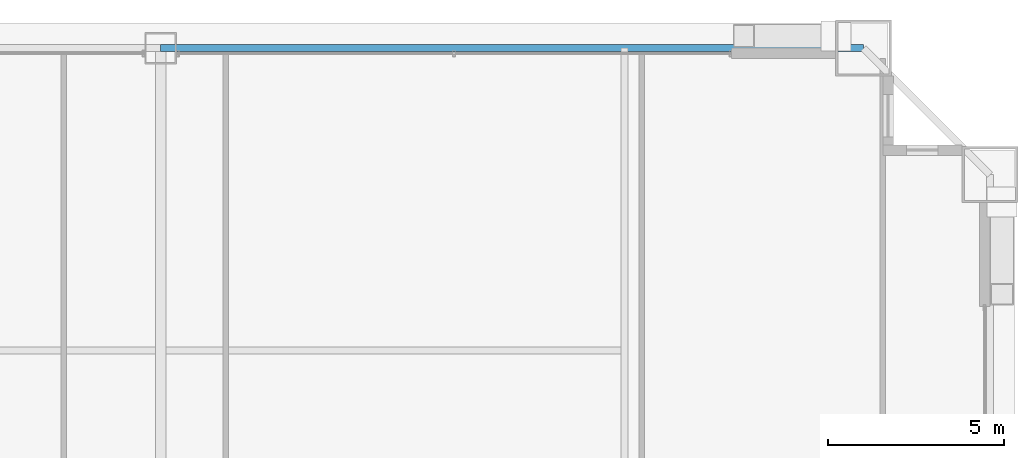
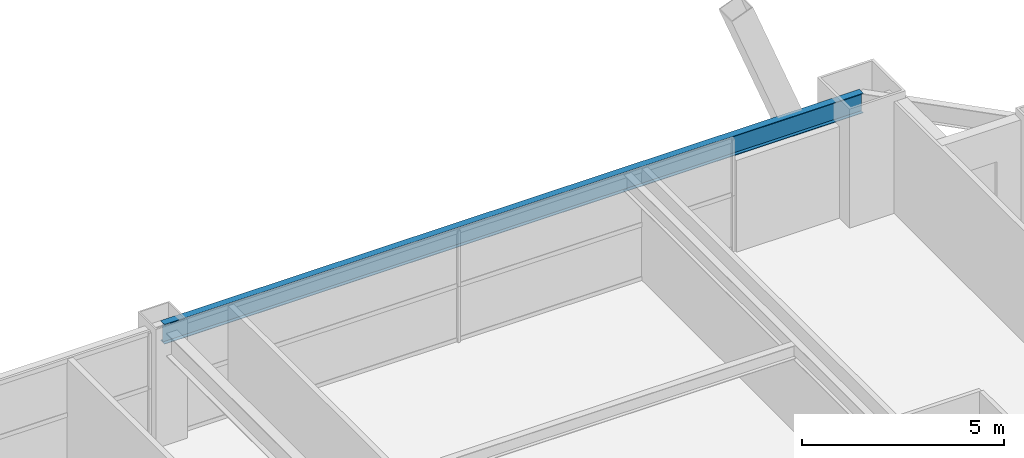
# One storey, part 34 of 41: 1 beam.
"""IFC4 building model written with IfcOpenShell, lengths in metres."""

import ifcopenshell
import ifcopenshell.guid

model = None  # the IFC model being written
_history = None  # IfcOwnerHistory: only IFC2X3 demands one
_inside = {}  # id of a spatial element -> (the spatial element, [elements in it])
_under = {}  # id of a project, library or spatial element -> (it, [spatial elements below it])
_declared = {}  # id of a project -> (the project, [libraries it declares])
_typed = {}  # id of a type object -> (the type object, [elements of that type])
_made_of = {}  # id of a material, layer set ... -> (it, [elements and type objects made of it])


def new_model(schema):
    """Start an empty IFC model of exactly this schema.

    Asked for "IFC4X3", IfcOpenShell would pick the latest addendum, in which some entities
    have other attributes; the version numbers below select the first issue.
    IFC2X3 requires an IfcOwnerHistory on every rooted entity: one is made here for all.
    """
    global model, _history
    if schema == "IFC4X3":
        model = ifcopenshell.file(schema_version=(4, 3, 0, 0))
    else:
        model = ifcopenshell.file(schema=schema)
    _inside.clear()
    _under.clear()
    _declared.clear()
    _typed.clear()
    _made_of.clear()
    _history = None
    if model.schema == "IFC2X3":
        org = make("IfcOrganization", Name="unknown")
        user = make(
            "IfcPersonAndOrganization",
            ThePerson=make("IfcPerson", FamilyName="unknown"),
            TheOrganization=org,
        )
        app = make(
            "IfcApplication",
            ApplicationDeveloper=org,
            Version="unknown",
            ApplicationFullName="unknown",
            ApplicationIdentifier="unknown",
        )
        _history = make(
            "IfcOwnerHistory",
            OwningUser=user,
            OwningApplication=app,
            ChangeAction="ADDED",
            CreationDate=0,
        )
    return model


def make(cls, **values):
    """One entity of the class cls with the attributes given. An attribute that is None is left unset."""
    return model.create_entity(
        cls, **{name: value for name, value in values.items() if value is not None}
    )


def rooted(cls, **values):
    """An entity with a GlobalId (a new one), such as an element, a storey or a relation."""
    return make(cls, GlobalId=ifcopenshell.guid.new(), OwnerHistory=_history, **values)


def si_unit(unit_type, name, prefix=None):
    """IfcSIUnit, for example si_unit("LENGTHUNIT", "METRE", prefix="MILLI")."""
    return make("IfcSIUnit", UnitType=unit_type, Prefix=prefix, Name=name)


def assignment(units):
    """IfcUnitAssignment: the units of a project."""
    return None if units is None else make("IfcUnitAssignment", Units=units)


def point(xyz):
    """IfcCartesianPoint."""
    return None if xyz is None else make("IfcCartesianPoint", Coordinates=xyz)


def direction(xyz):
    """IfcDirection."""
    return None if xyz is None else make("IfcDirection", DirectionRatios=xyz)


def frame(location, z_axis=None, x_axis=None):
    """IfcAxis2Placement3D, a coordinate frame: its origin and axes. An axis left out is left unset."""
    return make(
        "IfcAxis2Placement3D",
        Location=point(location),
        Axis=direction(z_axis),
        RefDirection=direction(x_axis),
    )


def frame_2d(location, x_axis=None):
    """IfcAxis2Placement2D, a coordinate frame in the plane: its origin and x axis."""
    return make(
        "IfcAxis2Placement2D", Location=point(location), RefDirection=direction(x_axis)
    )


def origin():
    """The frame at (0, 0, 0) with its axes left unset."""
    return frame((0.0, 0.0, 0.0))


def origin_2d():
    """The frame at (0, 0) in the plane with its x axis left unset."""
    return frame_2d((0.0, 0.0))


def place(relative_to, where):
    """IfcLocalPlacement: puts the frame where relative to a parent placement (None: the world)."""
    return make(
        "IfcLocalPlacement", PlacementRelTo=relative_to, RelativePlacement=where
    )


def context(
    kind, dimensions, precision=None, world=None, true_north=None, identifier=None
):
    """IfcGeometricRepresentationContext, for example the 3D "Model" context."""
    return make(
        "IfcGeometricRepresentationContext",
        ContextIdentifier=identifier,
        ContextType=kind,
        CoordinateSpaceDimension=dimensions,
        Precision=precision,
        WorldCoordinateSystem=world,
        TrueNorth=true_north,
    )


def subcontext(parent, identifier, kind, view, scale=None):
    """IfcGeometricRepresentationSubContext, for example "Body" below "Model"."""
    return make(
        "IfcGeometricRepresentationSubContext",
        ContextIdentifier=identifier,
        ContextType=kind,
        ParentContext=parent,
        TargetScale=scale,
        TargetView=view,
    )


def project(units=None, contexts=None):
    """IfcProject with its units and contexts."""
    return rooted(
        "IfcProject",
        Name="project",
        RepresentationContexts=contexts,
        UnitsInContext=assignment(units),
    )


def spatial(cls, under=None, at=None, **own):
    """A site, building, storey or space (cls), placed at a placement, below another one or the project."""
    s = rooted(cls, ObjectPlacement=at, **own)
    if under is not None:
        _under.setdefault(under.id(), (under, []))[1].append(s)
    return s


def profile(cls, at=None, kind="AREA", **sizes):
    """A parametric profile (cls). Its sizes go by their IFC names, for example OverallWidth=200.0."""
    return make(cls, ProfileType=kind, Position=at, **sizes)


def i_section(**sizes):
    """IfcIShapeProfileDef."""
    return profile("IfcIShapeProfileDef", **sizes)


def extrude(swept, where, along, depth):
    """IfcExtrudedAreaSolid: the profile swept, set in the frame where, extruded along a direction by depth."""
    return make(
        "IfcExtrudedAreaSolid",
        SweptArea=swept,
        Position=where,
        ExtrudedDirection=direction(along),
        Depth=depth,
    )


def shape(context_of_items, identifier, shape_type, items):
    """IfcShapeRepresentation: the items that make up one representation, for example the "Body"."""
    return make(
        "IfcShapeRepresentation",
        ContextOfItems=context_of_items,
        RepresentationIdentifier=identifier,
        RepresentationType=shape_type,
        Items=items,
    )


def source(mapping_origin, context_of_items, identifier, shape_type, items):
    """IfcRepresentationMap: a shape defined once, which mapped items show again and again."""
    return make(
        "IfcRepresentationMap",
        MappingOrigin=mapping_origin,
        MappedRepresentation=shape(context_of_items, identifier, shape_type, items),
    )


def transform(
    local_origin,
    x_axis=None,
    y_axis=None,
    z_axis=None,
    scale=None,
    scale2=None,
    scale3=None,
    uniform=True,
):
    """IfcCartesianTransformationOperator3D, or its non-uniform kind. x_axis, y_axis, z_axis: its Axis1, 2, 3."""
    if uniform:
        return make(
            "IfcCartesianTransformationOperator3D",
            Axis1=direction(x_axis),
            Axis2=direction(y_axis),
            LocalOrigin=point(local_origin),
            Scale=scale,
            Axis3=direction(z_axis),
        )
    return make(
        "IfcCartesianTransformationOperator3DnonUniform",
        Axis1=direction(x_axis),
        Axis2=direction(y_axis),
        LocalOrigin=point(local_origin),
        Scale=scale,
        Axis3=direction(z_axis),
        Scale2=scale2,
        Scale3=scale3,
    )


def mapped(mapping_source, mapping_target):
    """IfcMappedItem: shows the shape of a source again, moved by a transform."""
    return make(
        "IfcMappedItem", MappingSource=mapping_source, MappingTarget=mapping_target
    )


def material(Name=None, Category=None):
    """IfcMaterial."""
    return make("IfcMaterial", Name=Name, Category=Category)


def material_profile(
    of_material, cross_section, Name=None, Category=None, Priority=None
):
    """IfcMaterialProfile: a cross section and its material."""
    return make(
        "IfcMaterialProfile",
        Name=Name,
        Material=of_material,
        Profile=cross_section,
        Priority=Priority,
        Category=Category,
    )


def profile_set(profiles, Name=None, composite=None):
    """IfcMaterialProfileSet."""
    return make(
        "IfcMaterialProfileSet",
        Name=Name,
        MaterialProfiles=profiles,
        CompositeProfile=composite,
    )


def made_of(thing, what):
    """Note that an element or type object is made of a material, layer set ...; save() writes the relation."""
    if what is not None:
        _made_of.setdefault(what.id(), (what, []))[1].append(thing)
    return thing


def type_object(cls, material=None, **own):
    """A type object (cls), such as IfcWallType, which elements share."""
    return made_of(rooted(cls, **own), material)


def element(
    cls,
    number,
    at=None,
    inside=None,
    cuts=None,
    type_object=None,
    material=None,
    context=None,
    identifier="Body",
    shape_type=None,
    held_by="IfcProductDefinitionShape",
    body=None,
    shapes=None,
    **own,
):
    """One element of the class cls, such as IfcWall. Its Tag is "e" and its number.

    at: its placement. inside: the storey or other place that contains it. cuts: it is an
    opening in that element (IfcRelVoidsElement). A single representation is given by context,
    identifier, shape_type and body (its items); several are given by shapes. held_by: the class
    of the entity that holds the representations. save() writes the other relations.
    """
    e = rooted(cls, Tag="e%d" % number, ObjectPlacement=at, **own)
    if body is not None:
        shapes = [shape(context, identifier, shape_type, body)]
    if shapes is not None:
        e.Representation = make(held_by, Representations=shapes)
    if inside is not None:
        _inside.setdefault(inside.id(), (inside, []))[1].append(e)
    if cuts is not None:
        rooted(
            "IfcRelVoidsElement", RelatingBuildingElement=cuts, RelatedOpeningElement=e
        )
    if type_object is not None:
        _typed.setdefault(type_object.id(), (type_object, []))[1].append(e)
    return made_of(e, material)


def aggregate(whole, parts):
    """IfcRelAggregates: a whole, such as a stair, and the parts it consists of."""
    return rooted("IfcRelAggregates", RelatingObject=whole, RelatedObjects=parts)


def save(model, path):
    """Write the relations noted so far, then the file.

    IfcRelAggregates (storeys below a building ...), IfcRelContainedInSpatialStructure (elements
    in a storey), IfcRelDefinesByType, IfcRelAssociatesMaterial and IfcRelDeclares: one each for
    every whole, place, type object, material and project.
    """
    for whole, parts in _under.values():
        aggregate(whole, parts)
    for where, things in _inside.values():
        rooted(
            "IfcRelContainedInSpatialStructure",
            RelatedElements=things,
            RelatingStructure=where,
        )
    for kind, things in _typed.values():
        rooted("IfcRelDefinesByType", RelatedObjects=things, RelatingType=kind)
    for what, things in _made_of.values():
        rooted("IfcRelAssociatesMaterial", RelatedObjects=things, RelatingMaterial=what)
    for by, libraries in _declared.values():
        rooted("IfcRelDeclares", RelatingContext=by, RelatedDefinitions=libraries)
    model.write(path)


model = new_model("IFC4")

# Units and contexts
model_context = context("Model", 3, precision=1e-05, world=origin(), true_north=direction((0.0, 1.0)))
body_context = subcontext(model_context, "Body", "Model", "MODEL_VIEW")
ifc_project = project(units=[si_unit("LENGTHUNIT", "METRE"), si_unit("AREAUNIT", "SQUARE_METRE"), si_unit("VOLUMEUNIT", "CUBIC_METRE"), si_unit("PLANEANGLEUNIT", "RADIAN"), si_unit("MASSUNIT", "GRAM", prefix="KILO"), si_unit("THERMODYNAMICTEMPERATUREUNIT", "KELVIN"), si_unit("POWERUNIT", "WATT")], contexts=[model_context])

# Site, building, storey
site_placement = place(None, origin())
site = spatial("IfcSite", under=ifc_project, at=site_placement, CompositionType="ELEMENT")
building_placement = place(site_placement, origin())
building = spatial("IfcBuilding", under=site, at=building_placement, Name="Yuzanri Waterfront Tower", CompositionType="ELEMENT")
storey_placement = place(building_placement, frame((0.0, 0.0, 122.60009765625)))
storey = spatial("IfcBuildingStorey", under=building, at=storey_placement, Name="L32", CompositionType="ELEMENT", Elevation=122.60009765625)

# Beam
ifc_material = material(Name="Steel Q355B", Category="steel")
ifc_material_profile = material_profile(ifc_material, i_section(OverallWidth=0.199951171875, OverallDepth=0.60009765625, WebThickness=0.010986328125, FlangeThickness=0.01708984375, at=origin_2d()), Name="HN 600x200x11x17")
ifc_profile_set = profile_set([ifc_material_profile], Name="Steel Q355B")
beam_type = type_object("IfcBeamType", Name="Perimeter Spandrel Q355B HN 600x200", PredefinedType="SPANDREL", material=ifc_profile_set)
shared_shape = source(origin(), body_context, "Body", "SweptSolid", [
    extrude(i_section(OverallWidth=0.199951171875, OverallDepth=0.60009765625, WebThickness=0.010986328125, FlangeThickness=0.01708984375, at=origin_2d()), origin(), (0.0, 0.0, 1.0), 20.0),
])
beam_placement = place(storey_placement, frame((57.0, 49.39990234375, 3.079833984375), z_axis=(-1.0, 0.0, 0.0), x_axis=(0.0, -1.0, 0.0)))
element("IfcBeam", 1, at=beam_placement, inside=storey, type_object=beam_type, Name="L32 Perimeter Spandrel N3-N2", PredefinedType="SPANDREL", context=body_context, shape_type="MappedRepresentation", body=[
    mapped(shared_shape, transform((0.0, 0.0, 0.0), scale=1.0)),
])

save(model, "model.ifc")
